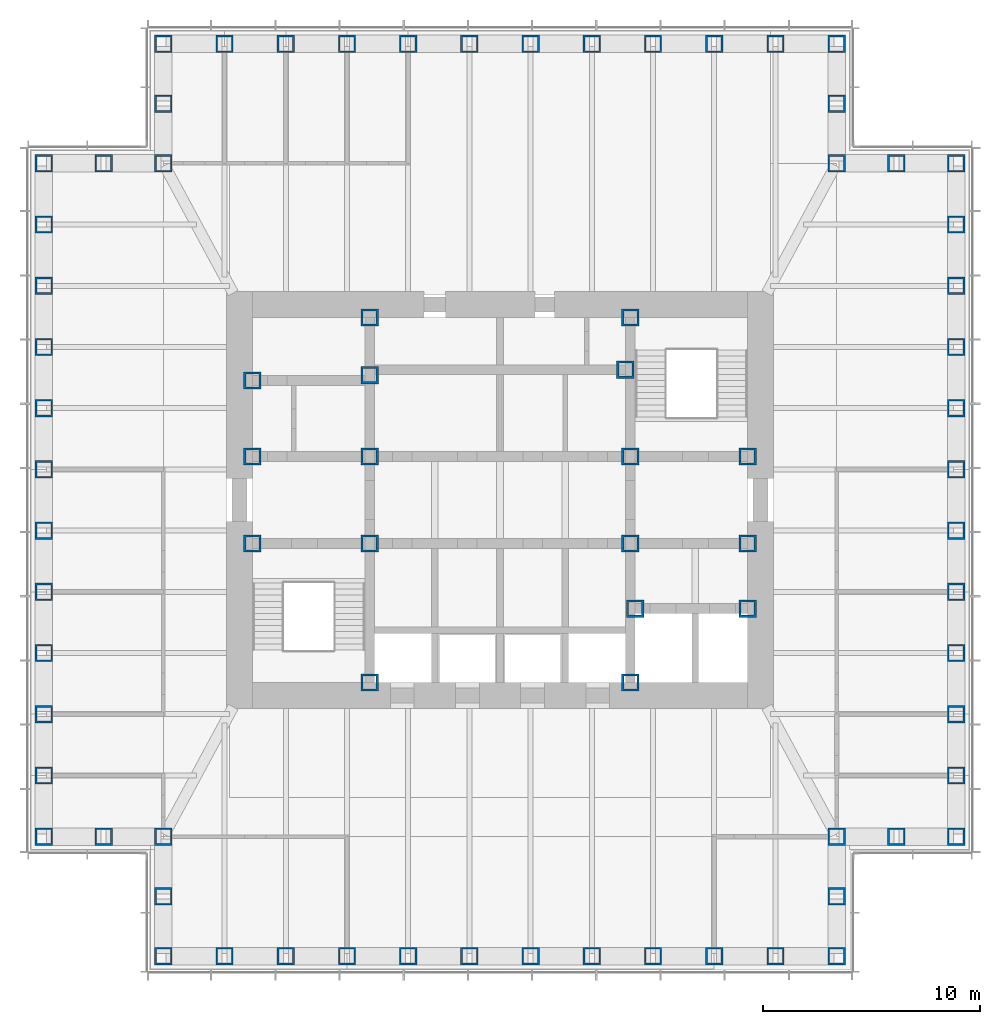
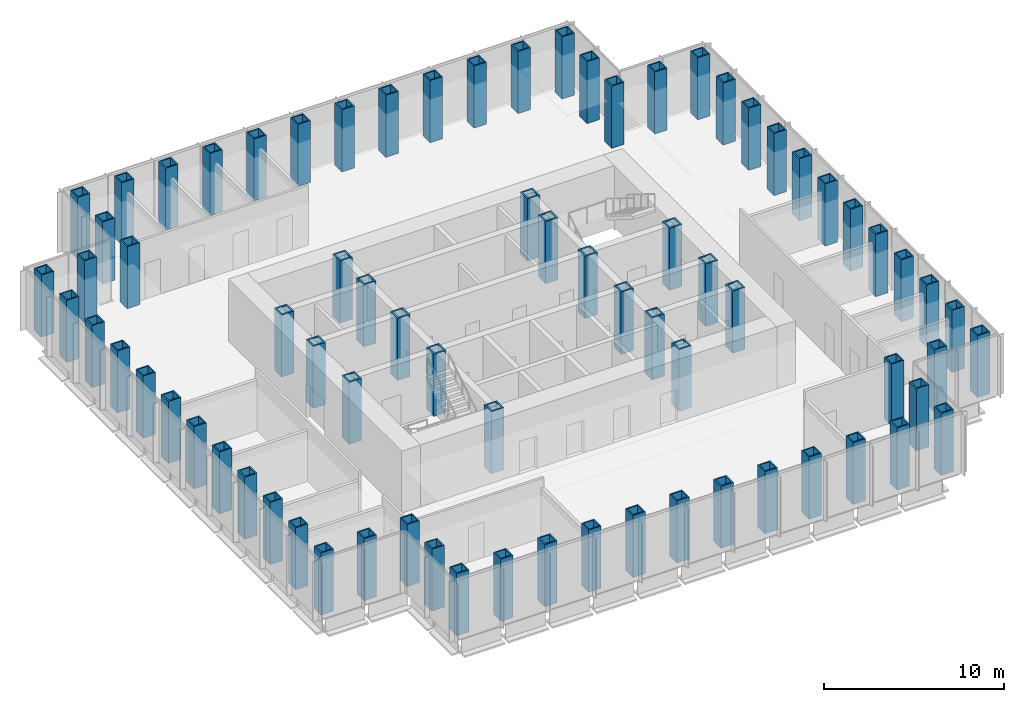
# One storey, part 1 of 16: 77 columns.
"""IFC4 building model written with IfcOpenShell, lengths in metres."""

import ifcopenshell
import ifcopenshell.guid

model = None  # the IFC model being written
_history = None  # IfcOwnerHistory: only IFC2X3 demands one
_inside = {}  # id of a spatial element -> (the spatial element, [elements in it])
_under = {}  # id of a project, library or spatial element -> (it, [spatial elements below it])
_declared = {}  # id of a project -> (the project, [libraries it declares])
_typed = {}  # id of a type object -> (the type object, [elements of that type])
_made_of = {}  # id of a material, layer set ... -> (it, [elements and type objects made of it])


def new_model(schema):
    """Start an empty IFC model of exactly this schema.

    Asked for "IFC4X3", IfcOpenShell would pick the latest addendum, in which some entities
    have other attributes; the version numbers below select the first issue.
    IFC2X3 requires an IfcOwnerHistory on every rooted entity: one is made here for all.
    """
    global model, _history
    if schema == "IFC4X3":
        model = ifcopenshell.file(schema_version=(4, 3, 0, 0))
    else:
        model = ifcopenshell.file(schema=schema)
    _inside.clear()
    _under.clear()
    _declared.clear()
    _typed.clear()
    _made_of.clear()
    _history = None
    if model.schema == "IFC2X3":
        org = make("IfcOrganization", Name="unknown")
        user = make(
            "IfcPersonAndOrganization",
            ThePerson=make("IfcPerson", FamilyName="unknown"),
            TheOrganization=org,
        )
        app = make(
            "IfcApplication",
            ApplicationDeveloper=org,
            Version="unknown",
            ApplicationFullName="unknown",
            ApplicationIdentifier="unknown",
        )
        _history = make(
            "IfcOwnerHistory",
            OwningUser=user,
            OwningApplication=app,
            ChangeAction="ADDED",
            CreationDate=0,
        )
    return model


def make(cls, **values):
    """One entity of the class cls with the attributes given. An attribute that is None is left unset."""
    return model.create_entity(
        cls, **{name: value for name, value in values.items() if value is not None}
    )


def rooted(cls, **values):
    """An entity with a GlobalId (a new one), such as an element, a storey or a relation."""
    return make(cls, GlobalId=ifcopenshell.guid.new(), OwnerHistory=_history, **values)


def si_unit(unit_type, name, prefix=None):
    """IfcSIUnit, for example si_unit("LENGTHUNIT", "METRE", prefix="MILLI")."""
    return make("IfcSIUnit", UnitType=unit_type, Prefix=prefix, Name=name)


def assignment(units):
    """IfcUnitAssignment: the units of a project."""
    return None if units is None else make("IfcUnitAssignment", Units=units)


def point(xyz):
    """IfcCartesianPoint."""
    return None if xyz is None else make("IfcCartesianPoint", Coordinates=xyz)


def direction(xyz):
    """IfcDirection."""
    return None if xyz is None else make("IfcDirection", DirectionRatios=xyz)


def frame(location, z_axis=None, x_axis=None):
    """IfcAxis2Placement3D, a coordinate frame: its origin and axes. An axis left out is left unset."""
    return make(
        "IfcAxis2Placement3D",
        Location=point(location),
        Axis=direction(z_axis),
        RefDirection=direction(x_axis),
    )


def frame_2d(location, x_axis=None):
    """IfcAxis2Placement2D, a coordinate frame in the plane: its origin and x axis."""
    return make(
        "IfcAxis2Placement2D", Location=point(location), RefDirection=direction(x_axis)
    )


def origin():
    """The frame at (0, 0, 0) with its axes left unset."""
    return frame((0.0, 0.0, 0.0))


def origin_2d():
    """The frame at (0, 0) in the plane with its x axis left unset."""
    return frame_2d((0.0, 0.0))


def place(relative_to, where):
    """IfcLocalPlacement: puts the frame where relative to a parent placement (None: the world)."""
    return make(
        "IfcLocalPlacement", PlacementRelTo=relative_to, RelativePlacement=where
    )


def context(
    kind, dimensions, precision=None, world=None, true_north=None, identifier=None
):
    """IfcGeometricRepresentationContext, for example the 3D "Model" context."""
    return make(
        "IfcGeometricRepresentationContext",
        ContextIdentifier=identifier,
        ContextType=kind,
        CoordinateSpaceDimension=dimensions,
        Precision=precision,
        WorldCoordinateSystem=world,
        TrueNorth=true_north,
    )


def subcontext(parent, identifier, kind, view, scale=None):
    """IfcGeometricRepresentationSubContext, for example "Body" below "Model"."""
    return make(
        "IfcGeometricRepresentationSubContext",
        ContextIdentifier=identifier,
        ContextType=kind,
        ParentContext=parent,
        TargetScale=scale,
        TargetView=view,
    )


def project(units=None, contexts=None):
    """IfcProject with its units and contexts."""
    return rooted(
        "IfcProject",
        Name="project",
        RepresentationContexts=contexts,
        UnitsInContext=assignment(units),
    )


def spatial(cls, under=None, at=None, **own):
    """A site, building, storey or space (cls), placed at a placement, below another one or the project."""
    s = rooted(cls, ObjectPlacement=at, **own)
    if under is not None:
        _under.setdefault(under.id(), (under, []))[1].append(s)
    return s


def profile(cls, at=None, kind="AREA", **sizes):
    """A parametric profile (cls). Its sizes go by their IFC names, for example OverallWidth=200.0."""
    return make(cls, ProfileType=kind, Position=at, **sizes)


def hollow_rectangle(**sizes):
    """IfcRectangleHollowProfileDef."""
    return profile("IfcRectangleHollowProfileDef", **sizes)


def extrude(swept, where, along, depth):
    """IfcExtrudedAreaSolid: the profile swept, set in the frame where, extruded along a direction by depth."""
    return make(
        "IfcExtrudedAreaSolid",
        SweptArea=swept,
        Position=where,
        ExtrudedDirection=direction(along),
        Depth=depth,
    )


def shape(context_of_items, identifier, shape_type, items):
    """IfcShapeRepresentation: the items that make up one representation, for example the "Body"."""
    return make(
        "IfcShapeRepresentation",
        ContextOfItems=context_of_items,
        RepresentationIdentifier=identifier,
        RepresentationType=shape_type,
        Items=items,
    )


def material(Name=None, Category=None):
    """IfcMaterial."""
    return make("IfcMaterial", Name=Name, Category=Category)


def material_profile(
    of_material, cross_section, Name=None, Category=None, Priority=None
):
    """IfcMaterialProfile: a cross section and its material."""
    return make(
        "IfcMaterialProfile",
        Name=Name,
        Material=of_material,
        Profile=cross_section,
        Priority=Priority,
        Category=Category,
    )


def profile_set(profiles, Name=None, composite=None):
    """IfcMaterialProfileSet."""
    return make(
        "IfcMaterialProfileSet",
        Name=Name,
        MaterialProfiles=profiles,
        CompositeProfile=composite,
    )


def made_of(thing, what):
    """Note that an element or type object is made of a material, layer set ...; save() writes the relation."""
    if what is not None:
        _made_of.setdefault(what.id(), (what, []))[1].append(thing)
    return thing


def type_object(cls, material=None, **own):
    """A type object (cls), such as IfcWallType, which elements share."""
    return made_of(rooted(cls, **own), material)


def element(
    cls,
    number,
    at=None,
    inside=None,
    cuts=None,
    type_object=None,
    material=None,
    context=None,
    identifier="Body",
    shape_type=None,
    held_by="IfcProductDefinitionShape",
    body=None,
    shapes=None,
    **own,
):
    """One element of the class cls, such as IfcWall. Its Tag is "e" and its number.

    at: its placement. inside: the storey or other place that contains it. cuts: it is an
    opening in that element (IfcRelVoidsElement). A single representation is given by context,
    identifier, shape_type and body (its items); several are given by shapes. held_by: the class
    of the entity that holds the representations. save() writes the other relations.
    """
    e = rooted(cls, Tag="e%d" % number, ObjectPlacement=at, **own)
    if body is not None:
        shapes = [shape(context, identifier, shape_type, body)]
    if shapes is not None:
        e.Representation = make(held_by, Representations=shapes)
    if inside is not None:
        _inside.setdefault(inside.id(), (inside, []))[1].append(e)
    if cuts is not None:
        rooted(
            "IfcRelVoidsElement", RelatingBuildingElement=cuts, RelatedOpeningElement=e
        )
    if type_object is not None:
        _typed.setdefault(type_object.id(), (type_object, []))[1].append(e)
    return made_of(e, material)


def aggregate(whole, parts):
    """IfcRelAggregates: a whole, such as a stair, and the parts it consists of."""
    return rooted("IfcRelAggregates", RelatingObject=whole, RelatedObjects=parts)


def save(model, path):
    """Write the relations noted so far, then the file.

    IfcRelAggregates (storeys below a building ...), IfcRelContainedInSpatialStructure (elements
    in a storey), IfcRelDefinesByType, IfcRelAssociatesMaterial and IfcRelDeclares: one each for
    every whole, place, type object, material and project.
    """
    for whole, parts in _under.values():
        aggregate(whole, parts)
    for where, things in _inside.values():
        rooted(
            "IfcRelContainedInSpatialStructure",
            RelatedElements=things,
            RelatingStructure=where,
        )
    for kind, things in _typed.values():
        rooted("IfcRelDefinesByType", RelatedObjects=things, RelatingType=kind)
    for what, things in _made_of.values():
        rooted("IfcRelAssociatesMaterial", RelatedObjects=things, RelatingMaterial=what)
    for by, libraries in _declared.values():
        rooted("IfcRelDeclares", RelatingContext=by, RelatedDefinitions=libraries)
    model.write(path)


model = new_model("IFC4")

# Units and contexts
model_context = context("Model", 3, precision=1e-05, world=origin(), true_north=direction((0.0, 1.0)))
body_context = subcontext(model_context, "Body", "Model", "MODEL_VIEW")
ifc_project = project(units=[si_unit("LENGTHUNIT", "METRE"), si_unit("AREAUNIT", "SQUARE_METRE"), si_unit("VOLUMEUNIT", "CUBIC_METRE"), si_unit("PLANEANGLEUNIT", "RADIAN"), si_unit("MASSUNIT", "GRAM", prefix="KILO")], contexts=[model_context])

# Site, building, storey
site_placement = place(None, origin())
site = spatial("IfcSite", under=ifc_project, at=site_placement, CompositionType="ELEMENT")
building_placement = place(site_placement, origin())
building = spatial("IfcBuilding", under=site, at=building_placement, Name="Daluyong Arena Tower", CompositionType="ELEMENT")
storey_placement = place(building_placement, frame((0.0, 0.0, 231.699951171875)))
storey = spatial("IfcBuildingStorey", under=building, at=storey_placement, Name="L52", CompositionType="ELEMENT", Elevation=231.699951171875)

# Columns
ifc_material_1 = material(Name="Steel ASTM A572 Grade 50", Category="steel")
ifc_material_profile_1 = material_profile(ifc_material_1, hollow_rectangle(XDim=0.800048828125, YDim=0.800048828125, WallThickness=0.1, at=origin_2d()))
ifc_profile_set_1 = profile_set([ifc_material_profile_1], Name="Steel ASTM A572 Grade 50")
column_type_1 = type_object("IfcColumnType", Name="Core boundary column BX800X100", PredefinedType="COLUMN", material=ifc_profile_set_1)
for number, where, z_axis, x_axis, name in (
    (1, (44.60009765625, 78.0, 0.0), (0.0, 0.0, 1.0), (1.0, 0.0, 0.0), "core boundary column BC2"),
    (2, (44.60009765625, 82.0, 0.0), (0.0, 0.0, 1.0), (1.0, 0.0, 0.0), "core boundary column BC2"),
    (3, (44.60009765625, 85.5, 0.0), (0.0, 0.0, 1.0), (1.0, 0.0, 0.0), "core boundary column BC2"),
    (4, (50.0, 71.60009765625, 0.0), (0.0, 0.0, 1.0), (1.0, 0.0, 0.0), "core boundary column BC2"),
    (5, (50.0, 78.0, 0.0), (0.0, 0.0, 1.0), (1.0, 0.0, 0.0), "core boundary column BC2"),
    (6, (50.0, 82.0, 0.0), (0.0, 0.0, 1.0), (1.0, 0.0, 0.0), "core boundary column BC2"),
    (7, (50.0, 85.75, 0.0), (0.0, 0.0, 1.0), (1.0, 0.0, 0.0), "core boundary column BC2"),
    (8, (50.0, 88.39990234375, 0.0), (0.0, 0.0, 1.0), (1.0, 0.0, 0.0), "core boundary column BC2"),
    (9, (61.77490234375, 86.0, 0.0), (0.0, 0.0, 1.0), (1.0, 0.0, 0.0), "core boundary column BC2"),
    (10, (62.0, 71.60009765625, 0.0), (0.0, 0.0, 1.0), (1.0, 0.0, 0.0), "core boundary column BC2"),
    (11, (62.0, 78.0, 0.0), (0.0, 0.0, 1.0), (1.0, 0.0, 0.0), "core boundary column BC2"),
    (12, (62.0, 82.0, 0.0), (0.0, 0.0, 1.0), (1.0, 0.0, 0.0), "core boundary column BC2"),
    (13, (62.0, 88.39990234375, 0.0), (0.0, 0.0, 1.0), (1.0, 0.0, 0.0), "core boundary column BC2"),
    (14, (62.22509765625, 75.0, 0.0), (0.0, 0.0, 1.0), (1.0, 0.0, 0.0), "core boundary column BC2"),
    (15, (67.39990234375, 75.0, 0.0), (0.0, 0.0, 1.0), (1.0, 0.0, 0.0), "core boundary column BC2"),
    (16, (67.39990234375, 78.0, 0.0), (0.0, 0.0, 1.0), (1.0, 0.0, 0.0), "core boundary column BC2"),
    (17, (67.39990234375, 82.0, 0.0), (0.0, 0.0, 1.0), (1.0, 0.0, 0.0), "core boundary column BC2"),
):
    element("IfcColumn", number, at=place(storey_placement, frame(where, z_axis=z_axis, x_axis=x_axis)), inside=storey, type_object=column_type_1, Name=name, PredefinedType="COLUMN", context=body_context, shape_type="SweptSolid", body=[
        extrude(hollow_rectangle(XDim=0.800048828125, YDim=0.800048828125, WallThickness=0.1, at=origin_2d()), origin(), (0.0, 0.0, 1.0), 4.199951171875),
    ])
ifc_material_2 = material(Name="Steel ASTM A572 Grade 50", Category="steel")
ifc_material_profile_2 = material_profile(ifc_material_2, hollow_rectangle(XDim=0.800048828125, YDim=0.800048828125, WallThickness=0.08, at=origin_2d()))
ifc_profile_set_2 = profile_set([ifc_material_profile_2], Name="Steel ASTM A572 Grade 50")
column_type_2 = type_object("IfcColumnType", Name="Tube column BX800X80 BX800X80", PredefinedType="COLUMN", material=ifc_profile_set_2)
for number, where, z_axis, x_axis, name in (
    (18, (40.5, 59.0, 0.0), (0.0, 0.0, 1.0), (1.0, 0.0, 0.0), "tube column bx800x80 TC6"),
    (19, (43.318115234375, 59.0, 0.0), (0.0, 0.0, 1.0), (1.0, 0.0, 0.0), "tube column bx800x80 TC6"),
    (20, (46.136474609375, 59.0, 0.0), (0.0, 0.0, 1.0), (1.0, 0.0, 0.0), "tube column bx800x80 TC6"),
    (21, (48.95458984375, 59.0, 0.0), (0.0, 0.0, 1.0), (1.0, 0.0, 0.0), "tube column bx800x80 TC6"),
    (22, (51.772705078125, 59.0, 0.0), (0.0, 0.0, 1.0), (1.0, 0.0, 0.0), "tube column bx800x80 TC6"),
    (23, (54.5908203125, 59.0, 0.0), (0.0, 0.0, 1.0), (1.0, 0.0, 0.0), "tube column bx800x80 TC6"),
    (24, (57.4091796875, 59.0, 0.0), (0.0, 0.0, 1.0), (1.0, 0.0, 0.0), "tube column bx800x80 TC6"),
    (25, (60.227294921875, 59.0, 0.0), (0.0, 0.0, 1.0), (1.0, 0.0, 0.0), "tube column bx800x80 TC6"),
    (26, (63.04541015625, 59.0, 0.0), (0.0, 0.0, 1.0), (1.0, 0.0, 0.0), "tube column bx800x80 TC6"),
    (27, (65.863525390625, 59.0, 0.0), (0.0, 0.0, 1.0), (1.0, 0.0, 0.0), "tube column bx800x80 TC6"),
    (28, (68.681884765625, 59.0, 0.0), (0.0, 0.0, 1.0), (1.0, 0.0, 0.0), "tube column bx800x80 TC6"),
    (29, (71.5, 59.0, 0.0), (0.0, 0.0, 1.0), (0.0, 1.0, 0.0), "tube column bx800x80 TC6"),
    (30, (71.5, 61.75, 0.0), (0.0, 0.0, 1.0), (0.0, 1.0, 0.0), "tube column bx800x80 TC6"),
    (31, (71.5, 64.5, 0.0), (0.0, 0.0, 1.0), (1.0, 0.0, 0.0), "tube column bx800x80 TC6"),
    (32, (74.25, 64.5, 0.0), (0.0, 0.0, 1.0), (1.0, 0.0, 0.0), "tube column bx800x80 TC6"),
    (33, (77.0, 64.5, 0.0), (0.0, 0.0, 1.0), (0.0, 1.0, 0.0), "tube column bx800x80 TC6"),
    (34, (77.0, 67.318115234375, 0.0), (0.0, 0.0, 1.0), (0.0, 1.0, 0.0), "tube column bx800x80 TC6"),
    (35, (77.0, 70.136474609375, 0.0), (0.0, 0.0, 1.0), (0.0, 1.0, 0.0), "tube column bx800x80 TC6"),
    (36, (77.0, 72.95458984375, 0.0), (0.0, 0.0, 1.0), (0.0, 1.0, 0.0), "tube column bx800x80 TC6"),
    (37, (77.0, 75.772705078125, 0.0), (0.0, 0.0, 1.0), (0.0, 1.0, 0.0), "tube column bx800x80 TC6"),
    (38, (77.0, 78.5908203125, 0.0), (0.0, 0.0, 1.0), (0.0, 1.0, 0.0), "tube column bx800x80 TC6"),
    (39, (77.0, 81.4091796875, 0.0), (0.0, 0.0, 1.0), (0.0, 1.0, 0.0), "tube column bx800x80 TC6"),
    (40, (77.0, 84.227294921875, 0.0), (0.0, 0.0, 1.0), (0.0, 1.0, 0.0), "tube column bx800x80 TC6"),
    (41, (77.0, 87.04541015625, 0.0), (0.0, 0.0, 1.0), (0.0, 1.0, 0.0), "tube column bx800x80 TC6"),
    (42, (77.0, 89.863525390625, 0.0), (0.0, 0.0, 1.0), (0.0, 1.0, 0.0), "tube column bx800x80 TC6"),
    (43, (77.0, 92.681884765625, 0.0), (0.0, 0.0, 1.0), (0.0, 1.0, 0.0), "tube column bx800x80 TC6"),
    (44, (77.0, 95.5, 0.0), (0.0, 0.0, 1.0), (1.0, 0.0, 0.0), "tube column bx800x80 TC6"),
    (45, (74.25, 95.5, 0.0), (0.0, 0.0, 1.0), (1.0, 0.0, 0.0), "tube column bx800x80 TC6"),
    (46, (71.5, 95.5, 0.0), (0.0, 0.0, 1.0), (0.0, 1.0, 0.0), "tube column bx800x80 TC6"),
    (47, (71.5, 98.25, 0.0), (0.0, 0.0, 1.0), (0.0, 1.0, 0.0), "tube column bx800x80 TC6"),
    (48, (71.5, 101.0, 0.0), (0.0, 0.0, 1.0), (1.0, 0.0, 0.0), "tube column bx800x80 TC6"),
    (49, (68.681884765625, 101.0, 0.0), (0.0, 0.0, 1.0), (1.0, 0.0, 0.0), "tube column bx800x80 TC6"),
    (50, (65.863525390625, 101.0, 0.0), (0.0, 0.0, 1.0), (1.0, 0.0, 0.0), "tube column bx800x80 TC6"),
    (51, (63.04541015625, 101.0, 0.0), (0.0, 0.0, 1.0), (1.0, 0.0, 0.0), "tube column bx800x80 TC6"),
    (52, (60.227294921875, 101.0, 0.0), (0.0, 0.0, 1.0), (1.0, 0.0, 0.0), "tube column bx800x80 TC6"),
    (53, (57.4091796875, 101.0, 0.0), (0.0, 0.0, 1.0), (1.0, 0.0, 0.0), "tube column bx800x80 TC6"),
    (54, (54.5908203125, 101.0, 0.0), (0.0, 0.0, 1.0), (1.0, 0.0, 0.0), "tube column bx800x80 TC6"),
    (55, (51.772705078125, 101.0, 0.0), (0.0, 0.0, 1.0), (1.0, 0.0, 0.0), "tube column bx800x80 TC6"),
    (56, (48.95458984375, 101.0, 0.0), (0.0, 0.0, 1.0), (1.0, 0.0, 0.0), "tube column bx800x80 TC6"),
    (57, (46.136474609375, 101.0, 0.0), (0.0, 0.0, 1.0), (1.0, 0.0, 0.0), "tube column bx800x80 TC6"),
    (58, (43.318115234375, 101.0, 0.0), (0.0, 0.0, 1.0), (1.0, 0.0, 0.0), "tube column bx800x80 TC6"),
    (59, (40.5, 101.0, 0.0), (0.0, 0.0, 1.0), (0.0, 1.0, 0.0), "tube column bx800x80 TC6"),
    (60, (40.5, 98.25, 0.0), (0.0, 0.0, 1.0), (0.0, 1.0, 0.0), "tube column bx800x80 TC6"),
    (61, (40.5, 95.5, 0.0), (0.0, 0.0, 1.0), (1.0, 0.0, 0.0), "tube column bx800x80 TC6"),
    (62, (37.75, 95.5, 0.0), (0.0, 0.0, 1.0), (1.0, 0.0, 0.0), "tube column bx800x80 TC6"),
    (63, (35.0, 95.5, 0.0), (0.0, 0.0, 1.0), (0.0, 1.0, 0.0), "tube column bx800x80 TC6"),
    (64, (35.0, 92.681884765625, 0.0), (0.0, 0.0, 1.0), (0.0, 1.0, 0.0), "tube column bx800x80 TC6"),
    (65, (35.0, 89.863525390625, 0.0), (0.0, 0.0, 1.0), (0.0, 1.0, 0.0), "tube column bx800x80 TC6"),
    (66, (35.0, 87.04541015625, 0.0), (0.0, 0.0, 1.0), (0.0, 1.0, 0.0), "tube column bx800x80 TC6"),
    (67, (35.0, 84.227294921875, 0.0), (0.0, 0.0, 1.0), (0.0, 1.0, 0.0), "tube column bx800x80 TC6"),
    (68, (35.0, 81.4091796875, 0.0), (0.0, 0.0, 1.0), (0.0, 1.0, 0.0), "tube column bx800x80 TC6"),
    (69, (35.0, 78.5908203125, 0.0), (0.0, 0.0, 1.0), (0.0, 1.0, 0.0), "tube column bx800x80 TC6"),
    (70, (35.0, 75.772705078125, 0.0), (0.0, 0.0, 1.0), (0.0, 1.0, 0.0), "tube column bx800x80 TC6"),
    (71, (35.0, 72.95458984375, 0.0), (0.0, 0.0, 1.0), (0.0, 1.0, 0.0), "tube column bx800x80 TC6"),
    (72, (35.0, 70.136474609375, 0.0), (0.0, 0.0, 1.0), (0.0, 1.0, 0.0), "tube column bx800x80 TC6"),
    (73, (35.0, 67.318115234375, 0.0), (0.0, 0.0, 1.0), (0.0, 1.0, 0.0), "tube column bx800x80 TC6"),
    (74, (35.0, 64.5, 0.0), (0.0, 0.0, 1.0), (1.0, 0.0, 0.0), "tube column bx800x80 TC6"),
    (75, (37.75, 64.5, 0.0), (0.0, 0.0, 1.0), (1.0, 0.0, 0.0), "tube column bx800x80 TC6"),
    (76, (40.5, 64.5, 0.0), (0.0, 0.0, 1.0), (0.0, 1.0, 0.0), "tube column bx800x80 TC6"),
    (77, (40.5, 61.75, 0.0), (0.0, 0.0, 1.0), (0.0, 1.0, 0.0), "tube column bx800x80 TC6"),
):
    element("IfcColumn", number, at=place(storey_placement, frame(where, z_axis=z_axis, x_axis=x_axis)), inside=storey, type_object=column_type_2, Name=name, PredefinedType="COLUMN", context=body_context, shape_type="SweptSolid", body=[
        extrude(hollow_rectangle(XDim=0.800048828125, YDim=0.800048828125, WallThickness=0.08, at=origin_2d()), origin(), (0.0, 0.0, 1.0), 4.199951171875),
    ])

save(model, "model.ifc")
